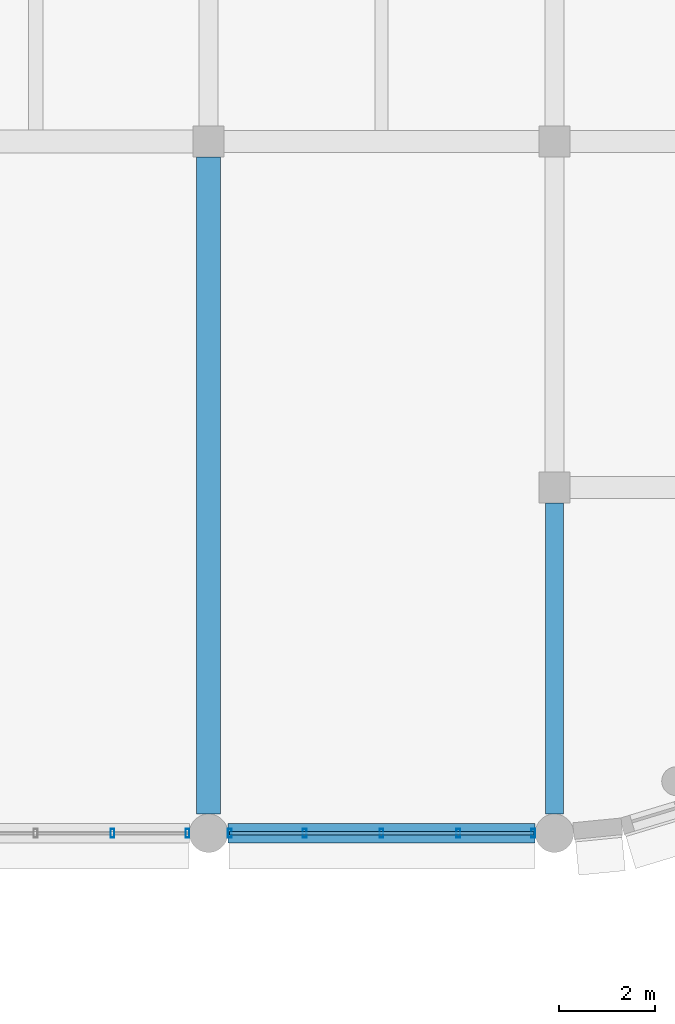
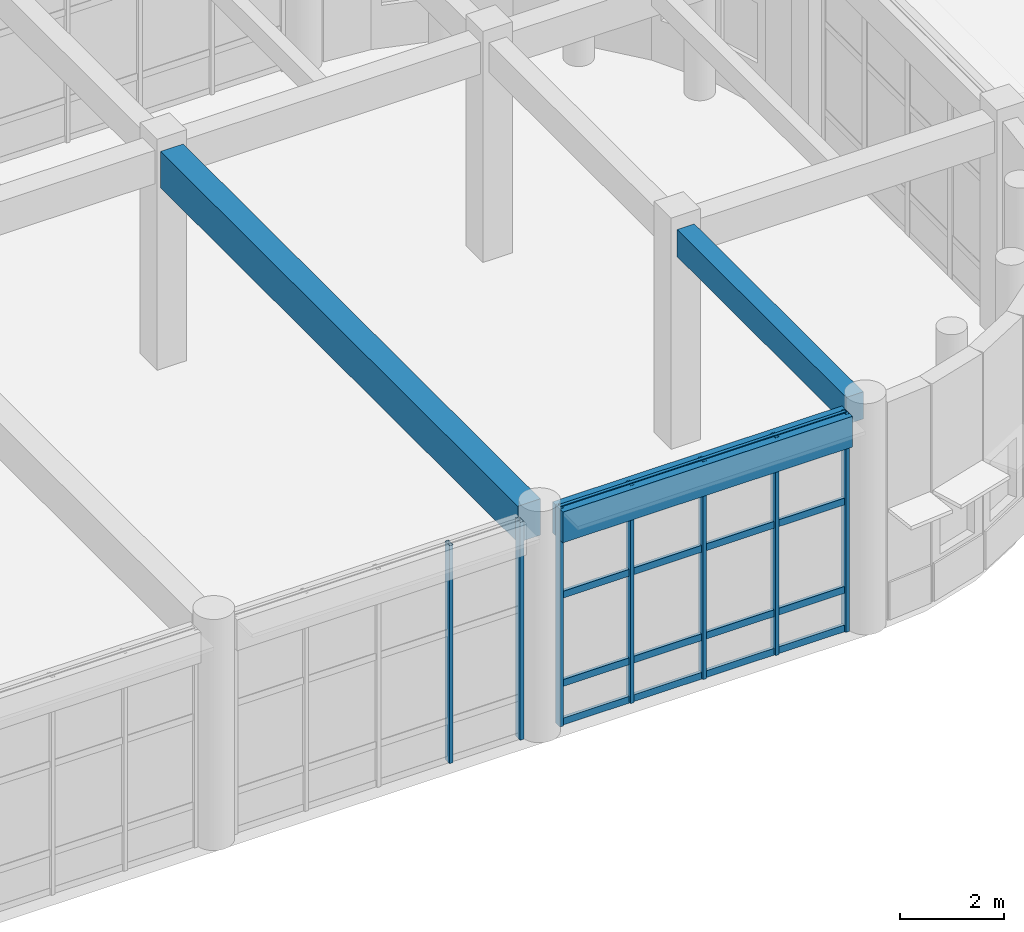
# One storey, part 36 of 160: 11 members, 3 beams, 2 elements without a shape of their own.
"""IFC4 building model written with IfcOpenShell, lengths in metres."""

from ifc_helpers import new_model, si_unit, direction, frame, origin, origin_2d, place, context, subcontext, project, spatial, rectangle, hollow_rectangle, extrude, material, material_profile, profile_set, type_object, element, aggregate, save


model = new_model("IFC4")

# Units and contexts
model_context = context("Model", 3, precision=1e-05, world=origin(), true_north=direction((0.0, 1.0)))
body_context = subcontext(model_context, "Body", "Model", "MODEL_VIEW")
ifc_project = project(units=[si_unit("LENGTHUNIT", "METRE"), si_unit("AREAUNIT", "SQUARE_METRE"), si_unit("VOLUMEUNIT", "CUBIC_METRE"), si_unit("PLANEANGLEUNIT", "RADIAN"), si_unit("MASSUNIT", "GRAM", prefix="KILO")], contexts=[model_context])

# Site, building, storey
site_placement = place(None, origin())
site = spatial("IfcSite", under=ifc_project, at=site_placement, CompositionType="ELEMENT")
building_placement = place(site_placement, origin())
building = spatial("IfcBuilding", under=site, at=building_placement, Name="Thalmaran Polytechnic", CompositionType="ELEMENT")
storey_placement = place(building_placement, origin())
storey = spatial("IfcBuildingStorey", under=building, at=storey_placement, Name="L00", CompositionType="ELEMENT", Elevation=0.0)

# Beams
ifc_material_1 = material(Name="Concrete C40/50", Category="concrete")
ifc_material_profile_1 = material_profile(ifc_material_1, rectangle(XDim=0.5, YDim=0.85009765625, at=origin_2d()), Name="RC 500x850")
ifc_profile_set_1 = profile_set([ifc_material_profile_1], Name="Concrete C40/50")
beam_type_1 = type_object("IfcBeamType", Name="BM-RC01", PredefinedType="BEAM", material=ifc_profile_set_1)
beam_1_placement = place(storey_placement, frame((79.199951171875, 50.800048828125, 4.6650390625), z_axis=(0.0, 1.0, 0.0), x_axis=(-1.0, 0.0, 0.0)))
element("IfcBeam", 1, at=beam_1_placement, inside=storey, type_object=beam_type_1, Name="Refectory Clear-Span Girder G11", PredefinedType="BEAM", context=body_context, shape_type="SweptSolid", body=[
    extrude(rectangle(XDim=0.5, YDim=0.85009765625, at=origin_2d()), origin(), (0.0, 0.0, 1.0), 13.675048828125),
])
ifc_material_profile_2 = material_profile(ifc_material_1, rectangle(XDim=0.39990234375, YDim=0.719970703125, at=origin_2d()), Name="RC 400x720")
ifc_profile_set_2 = profile_set([ifc_material_profile_2], Name="Concrete C40/50")
beam_type_2 = type_object("IfcBeamType", Name="BM-SP01", PredefinedType="SPANDREL", material=ifc_profile_set_2)
beam_2_placement = place(storey_placement, frame((79.60009765625, 50.39990234375, 4.72998046875), z_axis=(1.0, 0.0, 0.0), x_axis=(0.0, 1.0, 0.0)))
element("IfcBeam", 2, at=beam_2_placement, inside=storey, type_object=beam_type_2, Name="Grid Beam SP01 L00 X(11,7)", PredefinedType="SPANDREL", context=body_context, shape_type="SweptSolid", body=[
    extrude(rectangle(XDim=0.39990234375, YDim=0.719970703125, at=origin_2d()), origin(), (0.0, 0.0, 1.0), 6.39990234375),
])
ifc_material_profile_3 = material_profile(ifc_material_1, rectangle(XDim=0.3798828125, YDim=0.635009765625, at=origin_2d()), Name="RC 380x635")
ifc_profile_set_3 = profile_set([ifc_material_profile_3], Name="Concrete C40/50")
beam_type_3 = type_object("IfcBeamType", Name="BM-ZB06", PredefinedType="BEAM", material=ifc_profile_set_3)
beam_3_placement = place(storey_placement, frame((86.39990234375, 50.800048828125, 4.7724609375), z_axis=(0.0, 1.0, 0.0), x_axis=(-1.0, 0.0, 0.0)))
element("IfcBeam", 3, at=beam_3_placement, inside=storey, type_object=beam_type_3, Name="Grid Beam ZB06 L00 Y(12,7)", PredefinedType="BEAM", context=body_context, shape_type="SweptSolid", body=[
    extrude(rectangle(XDim=0.3798828125, YDim=0.635009765625, at=origin_2d()), origin(), (0.0, 0.0, 1.0), 6.474853515625),
])

# Curtain wall, members
ifc_material_2 = material(Name="Aluminium 6063-T6", Category="aluminium")
curtain_wall_type = type_object("IfcCurtainWallType", Name="CW-SC01", PredefinedType="USERDEFINED", material=ifc_material_2)
curtain_wall_1_placement = place(storey_placement, origin())
curtain_wall_1 = element("IfcCurtainWall", 4, at=curtain_wall_1_placement, inside=storey, type_object=curtain_wall_type, Name="Curtain Wall CW-L00-036", ObjectType="STICK CURTAIN WALL", PredefinedType="USERDEFINED")
ifc_material_profile_4 = material_profile(ifc_material_2, hollow_rectangle(XDim=0.080078125, YDim=0.179931640625, WallThickness=0.0048828125, at=origin_2d()), Name="RHS 180x80x5.0")
ifc_profile_set_4 = profile_set([ifc_material_profile_4], Name="Aluminium 6063-T6")
member_type_1 = type_object("IfcMemberType", Name="CW-MUL1", PredefinedType="MULLION", material=ifc_profile_set_4)
member_1_placement = place(storey_placement, frame((85.9599609375, 50.39990234375, 0.0), z_axis=(0.0, 0.0, 1.0), x_axis=(1.0, 0.0, 0.0)))
member_1 = element("IfcMember", 5, at=member_1_placement, type_object=member_type_1, Name="CW-L00-036 Mullion 1", PredefinedType="MULLION", context=body_context, shape_type="SweptSolid", body=[
    extrude(hollow_rectangle(XDim=0.080078125, YDim=0.179931640625, WallThickness=0.0048828125, at=origin_2d()), origin(), (0.0, 0.0, 1.0), 5.090087890625),
])
member_2_placement = place(storey_placement, frame((84.39990234375, 50.39990234375, 0.0), z_axis=(0.0, 0.0, 1.0), x_axis=(1.0, 0.0, 0.0)))
member_2 = element("IfcMember", 6, at=member_2_placement, type_object=member_type_1, Name="CW-L00-036 Mullion 2", PredefinedType="MULLION", context=body_context, shape_type="SweptSolid", body=[
    extrude(hollow_rectangle(XDim=0.080078125, YDim=0.179931640625, WallThickness=0.0048828125, at=origin_2d()), origin(), (0.0, 0.0, 1.0), 5.090087890625),
])
member_3_placement = place(storey_placement, frame((82.800048828125, 50.39990234375, 0.0), z_axis=(0.0, 0.0, 1.0), x_axis=(1.0, 0.0, 0.0)))
member_3 = element("IfcMember", 7, at=member_3_placement, type_object=member_type_1, Name="CW-L00-036 Mullion 3", PredefinedType="MULLION", context=body_context, shape_type="SweptSolid", body=[
    extrude(hollow_rectangle(XDim=0.080078125, YDim=0.179931640625, WallThickness=0.0048828125, at=origin_2d()), origin(), (0.0, 0.0, 1.0), 5.090087890625),
])
member_4_placement = place(storey_placement, frame((81.199951171875, 50.39990234375, 0.0), z_axis=(0.0, 0.0, 1.0), x_axis=(1.0, 0.0, 0.0)))
member_4 = element("IfcMember", 8, at=member_4_placement, type_object=member_type_1, Name="CW-L00-036 Mullion 4", PredefinedType="MULLION", context=body_context, shape_type="SweptSolid", body=[
    extrude(hollow_rectangle(XDim=0.080078125, YDim=0.179931640625, WallThickness=0.0048828125, at=origin_2d()), origin(), (0.0, 0.0, 1.0), 5.090087890625),
])
member_5_placement = place(storey_placement, frame((79.639892578125, 50.39990234375, 0.0), z_axis=(0.0, 0.0, 1.0), x_axis=(1.0, 0.0, 0.0)))
member_5 = element("IfcMember", 9, at=member_5_placement, type_object=member_type_1, Name="CW-L00-036 Mullion 5", PredefinedType="MULLION", context=body_context, shape_type="SweptSolid", body=[
    extrude(hollow_rectangle(XDim=0.080078125, YDim=0.179931640625, WallThickness=0.0048828125, at=origin_2d()), origin(), (0.0, 0.0, 1.0), 5.090087890625),
])

curtain_wall_2_placement = place(storey_placement, origin())
curtain_wall_2 = element("IfcCurtainWall", 10, at=curtain_wall_2_placement, inside=storey, type_object=curtain_wall_type, Name="Curtain Wall CW-L00-037", ObjectType="STICK CURTAIN WALL", PredefinedType="USERDEFINED")
member_6_placement = place(storey_placement, frame((78.760009765625, 50.39990234375, 0.0), z_axis=(0.0, 0.0, 1.0), x_axis=(1.0, 0.0, 0.0)))
member_6 = element("IfcMember", 11, at=member_6_placement, type_object=member_type_1, Name="CW-L00-037 Mullion 1", PredefinedType="MULLION", context=body_context, shape_type="SweptSolid", body=[
    extrude(hollow_rectangle(XDim=0.080078125, YDim=0.179931640625, WallThickness=0.0048828125, at=origin_2d()), origin(), (0.0, 0.0, 1.0), 5.090087890625),
])
member_7_placement = place(storey_placement, frame((77.199951171875, 50.39990234375, 0.0), z_axis=(0.0, 0.0, 1.0), x_axis=(1.0, 0.0, 0.0)))
member_7 = element("IfcMember", 12, at=member_7_placement, type_object=member_type_1, Name="CW-L00-037 Mullion 2", PredefinedType="MULLION", context=body_context, shape_type="SweptSolid", body=[
    extrude(hollow_rectangle(XDim=0.080078125, YDim=0.179931640625, WallThickness=0.0048828125, at=origin_2d()), origin(), (0.0, 0.0, 1.0), 5.090087890625),
])
aggregate(curtain_wall_2, [member_6, member_7])

# Member
ifc_material_profile_5 = material_profile(ifc_material_2, hollow_rectangle(XDim=0.070068359375, YDim=0.159912109375, WallThickness=0.00390625, at=origin_2d()), Name="AL 160x70x4.0")
ifc_profile_set_5 = profile_set([ifc_material_profile_5], Name="Aluminium 6063-T6")
member_type_2 = type_object("IfcMemberType", Name="CW-TRN1", PredefinedType="USERDEFINED", material=ifc_profile_set_5)
member_8_placement = place(storey_placement, frame((85.9599609375, 50.39990234375, 0.06005859375), z_axis=(-1.0, 0.0, 0.0), x_axis=(0.0, -1.0, 0.0)))
member_8 = element("IfcMember", 13, at=member_8_placement, type_object=member_type_2, Name="CW-L00-036 Transom 1", ObjectType="TRANSOM", PredefinedType="USERDEFINED", context=body_context, shape_type="SweptSolid", body=[
    extrude(hollow_rectangle(XDim=0.070068359375, YDim=0.159912109375, WallThickness=0.00390625, at=origin_2d()), origin(), (0.0, 0.0, 1.0), 6.320068359375),
])

member_9_placement = place(storey_placement, frame((85.9599609375, 50.39990234375, 0.9599609375), z_axis=(-1.0, 0.0, 0.0), x_axis=(0.0, -1.0, 0.0)))
member_9 = element("IfcMember", 14, at=member_9_placement, type_object=member_type_2, Name="CW-L00-036 Transom 2", ObjectType="TRANSOM", PredefinedType="USERDEFINED", context=body_context, shape_type="SweptSolid", body=[
    extrude(hollow_rectangle(XDim=0.070068359375, YDim=0.159912109375, WallThickness=0.00390625, at=origin_2d()), origin(), (0.0, 0.0, 1.0), 6.320068359375),
])

member_10_placement = place(storey_placement, frame((85.9599609375, 50.39990234375, 3.02490234375), z_axis=(-1.0, 0.0, 0.0), x_axis=(0.0, -1.0, 0.0)))
member_10 = element("IfcMember", 15, at=member_10_placement, type_object=member_type_2, Name="CW-L00-036 Transom 3", ObjectType="TRANSOM", PredefinedType="USERDEFINED", context=body_context, shape_type="SweptSolid", body=[
    extrude(hollow_rectangle(XDim=0.070068359375, YDim=0.159912109375, WallThickness=0.00390625, at=origin_2d()), origin(), (0.0, 0.0, 1.0), 6.320068359375),
])

member_11_placement = place(storey_placement, frame((85.9599609375, 50.39990234375, 5.030029296875), z_axis=(-1.0, 0.0, 0.0), x_axis=(0.0, -1.0, 0.0)))
member_11 = element("IfcMember", 16, at=member_11_placement, type_object=member_type_2, Name="CW-L00-036 Transom 4", ObjectType="TRANSOM", PredefinedType="USERDEFINED", context=body_context, shape_type="SweptSolid", body=[
    extrude(hollow_rectangle(XDim=0.070068359375, YDim=0.159912109375, WallThickness=0.00390625, at=origin_2d()), origin(), (0.0, 0.0, 1.0), 6.320068359375),
])

aggregate(curtain_wall_1, [member_1, member_2, member_3, member_4, member_5, member_8, member_9, member_10, member_11])

save(model, "model.ifc")
